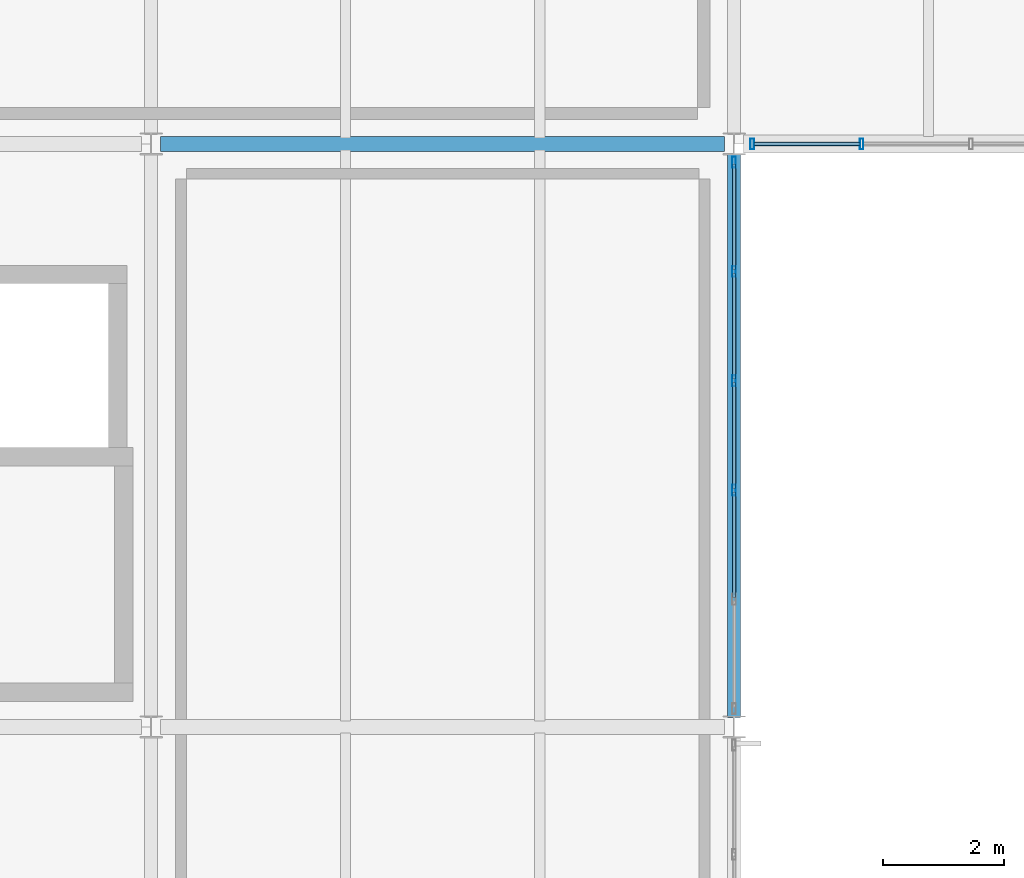
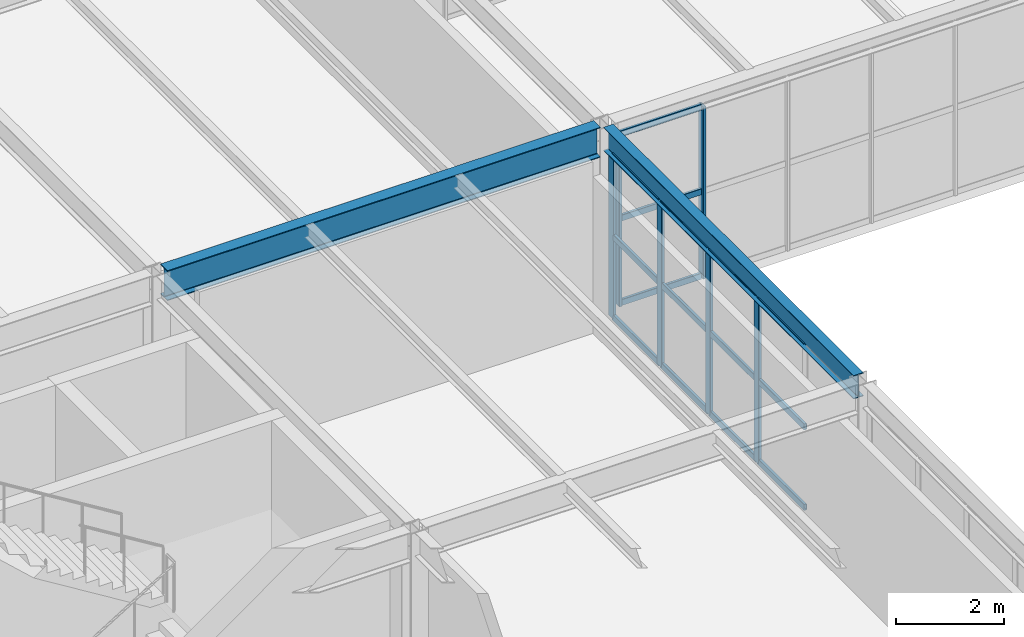
# One storey, part 42 of 170: 21 members, 2 beams, 2 elements without a shape of their own.
"""IFC4 building model written with IfcOpenShell, lengths in metres."""

from ifc_helpers import new_model, si_unit, direction, frame, origin, origin_2d, place, context, subcontext, project, spatial, hollow_rectangle, i_section, extrude, material, material_profile, profile_set, type_object, element, aggregate, save


model = new_model("IFC4")

# Units and contexts
model_context = context("Model", 3, precision=1e-05, world=origin(), true_north=direction((0.0, 1.0)))
body_context = subcontext(model_context, "Body", "Model", "MODEL_VIEW")
ifc_project = project(units=[si_unit("LENGTHUNIT", "METRE"), si_unit("AREAUNIT", "SQUARE_METRE"), si_unit("VOLUMEUNIT", "CUBIC_METRE"), si_unit("PLANEANGLEUNIT", "RADIAN"), si_unit("MASSUNIT", "GRAM", prefix="KILO")], contexts=[model_context])

# Site, building, storey
site_placement = place(None, origin())
site = spatial("IfcSite", under=ifc_project, at=site_placement, CompositionType="ELEMENT")
building_placement = place(site_placement, origin())
building = spatial("IfcBuilding", under=site, at=building_placement, Name="Coralgate Yard Interchange", CompositionType="ELEMENT")
storey_placement = place(building_placement, frame((0.0, 0.0, 6.0)))
storey = spatial("IfcBuildingStorey", under=building, at=storey_placement, Name="L01", CompositionType="ELEMENT", Elevation=6.0)

# Beams
ifc_material_1 = material(Name="Structural steel S355J2", Category="steel")
ifc_material_profile_1 = material_profile(ifc_material_1, i_section(OverallWidth=0.209228515625, OverallDepth=0.533203125, WebThickness=0.010009765625, FlangeThickness=0.015625, FilletRadius=0.0126953125, at=origin_2d()), Name="UB 533x210x92")
ifc_profile_set_1 = profile_set([ifc_material_profile_1], Name="Structural steel S355J2")
beam_type_1 = type_object("IfcBeamType", Name="BM-SB-1", PredefinedType="BEAM", material=ifc_profile_set_1)
beam_1_placement = place(storey_placement, frame((28.800048828125, 28.9541015625, 3.9833984375), z_axis=(0.0, 1.0, 0.0), x_axis=(-1.0, 0.0, 0.0)))
element("IfcBeam", 1, at=beam_1_placement, inside=storey, type_object=beam_type_1, Name="L01 primary grid girder X3 Y3-4", PredefinedType="BEAM", context=body_context, shape_type="SweptSolid", body=[
    extrude(i_section(OverallWidth=0.209228515625, OverallDepth=0.533203125, WebThickness=0.010009765625, FlangeThickness=0.015625, FilletRadius=0.0126953125, at=origin_2d()), origin(), (0.0, 0.0, 1.0), 9.291748046875),
])
ifc_material_profile_2 = material_profile(ifc_material_1, i_section(OverallWidth=0.253662109375, OverallDepth=0.68359375, WebThickness=0.012451171875, FlangeThickness=0.01904296875, FilletRadius=0.01513671875, at=origin_2d()), Name="UB 686x254x140")
ifc_profile_set_2 = profile_set([ifc_material_profile_2], Name="Structural steel S355J2")
beam_type_2 = type_object("IfcBeamType", Name="BM-SG-4", PredefinedType="BEAM", material=ifc_profile_set_2)
beam_2_placement = place(storey_placement, frame((19.356201171875, 38.39990234375, 3.908203125), z_axis=(1.0, 0.0, 0.0), x_axis=(0.0, 1.0, 0.0)))
element("IfcBeam", 2, at=beam_2_placement, inside=storey, type_object=beam_type_2, Name="L01 primary grid beam Y4 X2-3", PredefinedType="BEAM", context=body_context, shape_type="SweptSolid", body=[
    extrude(i_section(OverallWidth=0.253662109375, OverallDepth=0.68359375, WebThickness=0.012451171875, FlangeThickness=0.01904296875, FilletRadius=0.01513671875, at=origin_2d()), origin(), (0.0, 0.0, 1.0), 9.28759765625),
])

# Curtain wall, members
ifc_material_2 = material(Name="Anodised coastal aluminium and solar-control low-E glass", Category="aluminium")
curtain_wall_type_1 = type_object("IfcCurtainWallType", Name="CW-CW-L01-A", PredefinedType="NOTDEFINED", material=ifc_material_2)
curtain_wall_1_placement = place(storey_placement, origin())
curtain_wall_1 = element("IfcCurtainWall", 3, at=curtain_wall_1_placement, inside=storey, type_object=curtain_wall_type_1, Name="L01 unitised curtain wall CW-L01-E-02-03", PredefinedType="NOTDEFINED")
ifc_material_3 = material(Name="Anodised coastal aluminium 6063-T6", Category="aluminium")
ifc_material_profile_3 = material_profile(ifc_material_3, hollow_rectangle(XDim=0.06005859375, YDim=0.179931640625, WallThickness=0.00390625, InnerFilletRadius=0.00390625, OuterFilletRadius=0.008056640625, at=origin_2d()), Name="ALU 60x180x4")
ifc_profile_set_3 = profile_set([ifc_material_profile_3], Name="Anodised coastal aluminium 6063-T6")
member_type_1 = type_object("IfcMemberType", Name="MB-MUL-180", PredefinedType="MULLION", material=ifc_profile_set_3)
member_1_placement = place(storey_placement, frame((28.800048828125, 38.10009765625, 0.0), z_axis=(0.0, 0.0, 1.0), x_axis=(1.0, 0.0, 0.0)))
member_1 = element("IfcMember", 4, at=member_1_placement, type_object=member_type_1, Name="CW-L01-E-02-03 vertical mullion 1", PredefinedType="MULLION", context=body_context, shape_type="SweptSolid", body=[
    extrude(hollow_rectangle(XDim=0.06005859375, YDim=0.179931640625, WallThickness=0.00390625, InnerFilletRadius=0.00390625, OuterFilletRadius=0.008056640625, at=origin_2d()), origin(), (0.0, 0.0, 1.0), 3.716796875),
])
member_2_placement = place(storey_placement, frame((28.800048828125, 36.300048828125, 0.0), z_axis=(0.0, 0.0, 1.0), x_axis=(1.0, 0.0, 0.0)))
member_2 = element("IfcMember", 5, at=member_2_placement, type_object=member_type_1, Name="CW-L01-E-02-03 vertical mullion 2", PredefinedType="MULLION", context=body_context, shape_type="SweptSolid", body=[
    extrude(hollow_rectangle(XDim=0.06005859375, YDim=0.179931640625, WallThickness=0.00390625, InnerFilletRadius=0.00390625, OuterFilletRadius=0.008056640625, at=origin_2d()), origin(), (0.0, 0.0, 1.0), 3.716796875),
])
member_3_placement = place(storey_placement, frame((28.800048828125, 34.5, 0.0), z_axis=(0.0, 0.0, 1.0), x_axis=(1.0, 0.0, 0.0)))
member_3 = element("IfcMember", 6, at=member_3_placement, type_object=member_type_1, Name="CW-L01-E-02-03 vertical mullion 3", PredefinedType="MULLION", context=body_context, shape_type="SweptSolid", body=[
    extrude(hollow_rectangle(XDim=0.06005859375, YDim=0.179931640625, WallThickness=0.00390625, InnerFilletRadius=0.00390625, OuterFilletRadius=0.008056640625, at=origin_2d()), origin(), (0.0, 0.0, 1.0), 3.716796875),
])
member_4_placement = place(storey_placement, frame((28.800048828125, 32.699951171875, 0.0), z_axis=(0.0, 0.0, 1.0), x_axis=(1.0, 0.0, 0.0)))
member_4 = element("IfcMember", 7, at=member_4_placement, type_object=member_type_1, Name="CW-L01-E-02-03 vertical mullion 4", PredefinedType="MULLION", context=body_context, shape_type="SweptSolid", body=[
    extrude(hollow_rectangle(XDim=0.06005859375, YDim=0.179931640625, WallThickness=0.00390625, InnerFilletRadius=0.00390625, OuterFilletRadius=0.008056640625, at=origin_2d()), origin(), (0.0, 0.0, 1.0), 3.716796875),
])

curtain_wall_type_2 = type_object("IfcCurtainWallType", Name="CW-CW-L01-B", PredefinedType="NOTDEFINED", material=ifc_material_2)
curtain_wall_2_placement = place(storey_placement, origin())
curtain_wall_2 = element("IfcCurtainWall", 8, at=curtain_wall_2_placement, inside=storey, type_object=curtain_wall_type_2, Name="L01 unitised curtain wall CW-L01-S-03-04", PredefinedType="NOTDEFINED")
member_5_placement = place(storey_placement, frame((30.89990234375, 38.39990234375, 0.0), z_axis=(0.0, 0.0, 1.0), x_axis=(1.0, 0.0, 0.0)))
member_5 = element("IfcMember", 9, at=member_5_placement, type_object=member_type_1, Name="CW-L01-S-03-04 vertical mullion 5", PredefinedType="MULLION", context=body_context, shape_type="SweptSolid", body=[
    extrude(hollow_rectangle(XDim=0.06005859375, YDim=0.179931640625, WallThickness=0.00390625, InnerFilletRadius=0.00390625, OuterFilletRadius=0.008056640625, at=origin_2d()), origin(), (0.0, 0.0, 1.0), 3.89990234375),
])
member_6_placement = place(storey_placement, frame((29.10009765625, 38.39990234375, 0.0), z_axis=(0.0, 0.0, 1.0), x_axis=(1.0, 0.0, 0.0)))
member_6 = element("IfcMember", 10, at=member_6_placement, type_object=member_type_1, Name="CW-L01-S-03-04 vertical mullion 6", PredefinedType="MULLION", context=body_context, shape_type="SweptSolid", body=[
    extrude(hollow_rectangle(XDim=0.06005859375, YDim=0.179931640625, WallThickness=0.00390625, InnerFilletRadius=0.00390625, OuterFilletRadius=0.008056640625, at=origin_2d()), origin(), (0.0, 0.0, 1.0), 3.89990234375),
])

# Member
ifc_material_profile_4 = material_profile(ifc_material_3, hollow_rectangle(XDim=0.06005859375, YDim=0.139892578125, WallThickness=0.00341796875, InnerFilletRadius=0.00341796875, OuterFilletRadius=0.007080078125, at=origin_2d()), Name="ALU 60x140x3.5")
ifc_profile_set_4 = profile_set([ifc_material_profile_4], Name="Anodised coastal aluminium 6063-T6")
member_type_2 = type_object("IfcMemberType", Name="MB-TRN-140", PredefinedType="USERDEFINED", material=ifc_profile_set_4)
member_7_placement = place(storey_placement, frame((28.800048828125, 38.070068359375, 0.034912109375), z_axis=(0.0, -1.0, 0.0), x_axis=(1.0, 0.0, 0.0)))
member_7 = element("IfcMember", 11, at=member_7_placement, type_object=member_type_2, Name="CW-L01-E-02-03 horizontal transom 1-1", ObjectType="TRANSOM", PredefinedType="USERDEFINED", context=body_context, shape_type="SweptSolid", body=[
    extrude(hollow_rectangle(XDim=0.06005859375, YDim=0.139892578125, WallThickness=0.00341796875, InnerFilletRadius=0.00341796875, OuterFilletRadius=0.007080078125, at=origin_2d()), origin(), (0.0, 0.0, 1.0), 1.739990234375),
])

member_8_placement = place(storey_placement, frame((28.800048828125, 38.070068359375, 1.8583984375), z_axis=(0.0, -1.0, 0.0), x_axis=(1.0, 0.0, 0.0)))
member_8 = element("IfcMember", 12, at=member_8_placement, type_object=member_type_2, Name="CW-L01-E-02-03 horizontal transom 1-2", ObjectType="TRANSOM", PredefinedType="USERDEFINED", context=body_context, shape_type="SweptSolid", body=[
    extrude(hollow_rectangle(XDim=0.06005859375, YDim=0.139892578125, WallThickness=0.00341796875, InnerFilletRadius=0.00341796875, OuterFilletRadius=0.007080078125, at=origin_2d()), origin(), (0.0, 0.0, 1.0), 1.739990234375),
])

member_9_placement = place(storey_placement, frame((28.800048828125, 38.070068359375, 3.681884765625), z_axis=(0.0, -1.0, 0.0), x_axis=(1.0, 0.0, 0.0)))
member_9 = element("IfcMember", 13, at=member_9_placement, type_object=member_type_2, Name="CW-L01-E-02-03 horizontal transom 1-3", ObjectType="TRANSOM", PredefinedType="USERDEFINED", context=body_context, shape_type="SweptSolid", body=[
    extrude(hollow_rectangle(XDim=0.06005859375, YDim=0.139892578125, WallThickness=0.00341796875, InnerFilletRadius=0.00341796875, OuterFilletRadius=0.007080078125, at=origin_2d()), origin(), (0.0, 0.0, 1.0), 1.739990234375),
])

member_10_placement = place(storey_placement, frame((28.800048828125, 36.27001953125, 0.034912109375), z_axis=(0.0, -1.0, 0.0), x_axis=(1.0, 0.0, 0.0)))
member_10 = element("IfcMember", 14, at=member_10_placement, type_object=member_type_2, Name="CW-L01-E-02-03 horizontal transom 2-1", ObjectType="TRANSOM", PredefinedType="USERDEFINED", context=body_context, shape_type="SweptSolid", body=[
    extrude(hollow_rectangle(XDim=0.06005859375, YDim=0.139892578125, WallThickness=0.00341796875, InnerFilletRadius=0.00341796875, OuterFilletRadius=0.007080078125, at=origin_2d()), origin(), (0.0, 0.0, 1.0), 1.739990234375),
])

member_11_placement = place(storey_placement, frame((28.800048828125, 36.27001953125, 1.8583984375), z_axis=(0.0, -1.0, 0.0), x_axis=(1.0, 0.0, 0.0)))
member_11 = element("IfcMember", 15, at=member_11_placement, type_object=member_type_2, Name="CW-L01-E-02-03 horizontal transom 2-2", ObjectType="TRANSOM", PredefinedType="USERDEFINED", context=body_context, shape_type="SweptSolid", body=[
    extrude(hollow_rectangle(XDim=0.06005859375, YDim=0.139892578125, WallThickness=0.00341796875, InnerFilletRadius=0.00341796875, OuterFilletRadius=0.007080078125, at=origin_2d()), origin(), (0.0, 0.0, 1.0), 1.739990234375),
])

member_12_placement = place(storey_placement, frame((28.800048828125, 36.27001953125, 3.681884765625), z_axis=(0.0, -1.0, 0.0), x_axis=(1.0, 0.0, 0.0)))
member_12 = element("IfcMember", 16, at=member_12_placement, type_object=member_type_2, Name="CW-L01-E-02-03 horizontal transom 2-3", ObjectType="TRANSOM", PredefinedType="USERDEFINED", context=body_context, shape_type="SweptSolid", body=[
    extrude(hollow_rectangle(XDim=0.06005859375, YDim=0.139892578125, WallThickness=0.00341796875, InnerFilletRadius=0.00341796875, OuterFilletRadius=0.007080078125, at=origin_2d()), origin(), (0.0, 0.0, 1.0), 1.739990234375),
])

member_13_placement = place(storey_placement, frame((28.800048828125, 34.469970703125, 0.034912109375), z_axis=(0.0, -1.0, 0.0), x_axis=(1.0, 0.0, 0.0)))
member_13 = element("IfcMember", 17, at=member_13_placement, type_object=member_type_2, Name="CW-L01-E-02-03 horizontal transom 3-1", ObjectType="TRANSOM", PredefinedType="USERDEFINED", context=body_context, shape_type="SweptSolid", body=[
    extrude(hollow_rectangle(XDim=0.06005859375, YDim=0.139892578125, WallThickness=0.00341796875, InnerFilletRadius=0.00341796875, OuterFilletRadius=0.007080078125, at=origin_2d()), origin(), (0.0, 0.0, 1.0), 1.739990234375),
])

member_14_placement = place(storey_placement, frame((28.800048828125, 34.469970703125, 1.8583984375), z_axis=(0.0, -1.0, 0.0), x_axis=(1.0, 0.0, 0.0)))
member_14 = element("IfcMember", 18, at=member_14_placement, type_object=member_type_2, Name="CW-L01-E-02-03 horizontal transom 3-2", ObjectType="TRANSOM", PredefinedType="USERDEFINED", context=body_context, shape_type="SweptSolid", body=[
    extrude(hollow_rectangle(XDim=0.06005859375, YDim=0.139892578125, WallThickness=0.00341796875, InnerFilletRadius=0.00341796875, OuterFilletRadius=0.007080078125, at=origin_2d()), origin(), (0.0, 0.0, 1.0), 1.739990234375),
])

member_15_placement = place(storey_placement, frame((28.800048828125, 34.469970703125, 3.681884765625), z_axis=(0.0, -1.0, 0.0), x_axis=(1.0, 0.0, 0.0)))
member_15 = element("IfcMember", 19, at=member_15_placement, type_object=member_type_2, Name="CW-L01-E-02-03 horizontal transom 3-3", ObjectType="TRANSOM", PredefinedType="USERDEFINED", context=body_context, shape_type="SweptSolid", body=[
    extrude(hollow_rectangle(XDim=0.06005859375, YDim=0.139892578125, WallThickness=0.00341796875, InnerFilletRadius=0.00341796875, OuterFilletRadius=0.007080078125, at=origin_2d()), origin(), (0.0, 0.0, 1.0), 1.739990234375),
])

member_16_placement = place(storey_placement, frame((28.800048828125, 32.669921875, 0.034912109375), z_axis=(0.0, -1.0, 0.0), x_axis=(1.0, 0.0, 0.0)))
member_16 = element("IfcMember", 20, at=member_16_placement, type_object=member_type_2, Name="CW-L01-E-02-03 horizontal transom 4-1", ObjectType="TRANSOM", PredefinedType="USERDEFINED", context=body_context, shape_type="SweptSolid", body=[
    extrude(hollow_rectangle(XDim=0.06005859375, YDim=0.139892578125, WallThickness=0.00341796875, InnerFilletRadius=0.00341796875, OuterFilletRadius=0.007080078125, at=origin_2d()), origin(), (0.0, 0.0, 1.0), 1.739990234375),
])

member_17_placement = place(storey_placement, frame((28.800048828125, 32.669921875, 1.8583984375), z_axis=(0.0, -1.0, 0.0), x_axis=(1.0, 0.0, 0.0)))
member_17 = element("IfcMember", 21, at=member_17_placement, type_object=member_type_2, Name="CW-L01-E-02-03 horizontal transom 4-2", ObjectType="TRANSOM", PredefinedType="USERDEFINED", context=body_context, shape_type="SweptSolid", body=[
    extrude(hollow_rectangle(XDim=0.06005859375, YDim=0.139892578125, WallThickness=0.00341796875, InnerFilletRadius=0.00341796875, OuterFilletRadius=0.007080078125, at=origin_2d()), origin(), (0.0, 0.0, 1.0), 1.739990234375),
])

member_18_placement = place(storey_placement, frame((28.800048828125, 32.669921875, 3.681884765625), z_axis=(0.0, -1.0, 0.0), x_axis=(1.0, 0.0, 0.0)))
member_18 = element("IfcMember", 22, at=member_18_placement, type_object=member_type_2, Name="CW-L01-E-02-03 horizontal transom 4-3", ObjectType="TRANSOM", PredefinedType="USERDEFINED", context=body_context, shape_type="SweptSolid", body=[
    extrude(hollow_rectangle(XDim=0.06005859375, YDim=0.139892578125, WallThickness=0.00341796875, InnerFilletRadius=0.00341796875, OuterFilletRadius=0.007080078125, at=origin_2d()), origin(), (0.0, 0.0, 1.0), 1.739990234375),
])

aggregate(curtain_wall_1, [member_1, member_2, member_3, member_4, member_7, member_8, member_9, member_10, member_11, member_12, member_13, member_14, member_15, member_16, member_17, member_18])

member_19_placement = place(storey_placement, frame((30.8701171875, 38.39990234375, 0.034912109375), z_axis=(-1.0, 0.0, 0.0), x_axis=(0.0, -1.0, 0.0)))
member_19 = element("IfcMember", 23, at=member_19_placement, type_object=member_type_2, Name="CW-L01-S-03-04 horizontal transom 5-1", ObjectType="TRANSOM", PredefinedType="USERDEFINED", context=body_context, shape_type="SweptSolid", body=[
    extrude(hollow_rectangle(XDim=0.06005859375, YDim=0.139892578125, WallThickness=0.00341796875, InnerFilletRadius=0.00341796875, OuterFilletRadius=0.007080078125, at=origin_2d()), origin(), (0.0, 0.0, 1.0), 1.740234375),
])

member_20_placement = place(storey_placement, frame((30.8701171875, 38.39990234375, 1.949951171875), z_axis=(-1.0, 0.0, 0.0), x_axis=(0.0, -1.0, 0.0)))
member_20 = element("IfcMember", 24, at=member_20_placement, type_object=member_type_2, Name="CW-L01-S-03-04 horizontal transom 5-2", ObjectType="TRANSOM", PredefinedType="USERDEFINED", context=body_context, shape_type="SweptSolid", body=[
    extrude(hollow_rectangle(XDim=0.06005859375, YDim=0.139892578125, WallThickness=0.00341796875, InnerFilletRadius=0.00341796875, OuterFilletRadius=0.007080078125, at=origin_2d()), origin(), (0.0, 0.0, 1.0), 1.740234375),
])

member_21_placement = place(storey_placement, frame((30.8701171875, 38.39990234375, 3.864990234375), z_axis=(-1.0, 0.0, 0.0), x_axis=(0.0, -1.0, 0.0)))
member_21 = element("IfcMember", 25, at=member_21_placement, type_object=member_type_2, Name="CW-L01-S-03-04 horizontal transom 5-3", ObjectType="TRANSOM", PredefinedType="USERDEFINED", context=body_context, shape_type="SweptSolid", body=[
    extrude(hollow_rectangle(XDim=0.06005859375, YDim=0.139892578125, WallThickness=0.00341796875, InnerFilletRadius=0.00341796875, OuterFilletRadius=0.007080078125, at=origin_2d()), origin(), (0.0, 0.0, 1.0), 1.740234375),
])

aggregate(curtain_wall_2, [member_5, member_6, member_19, member_20, member_21])

save(model, "model.ifc")
